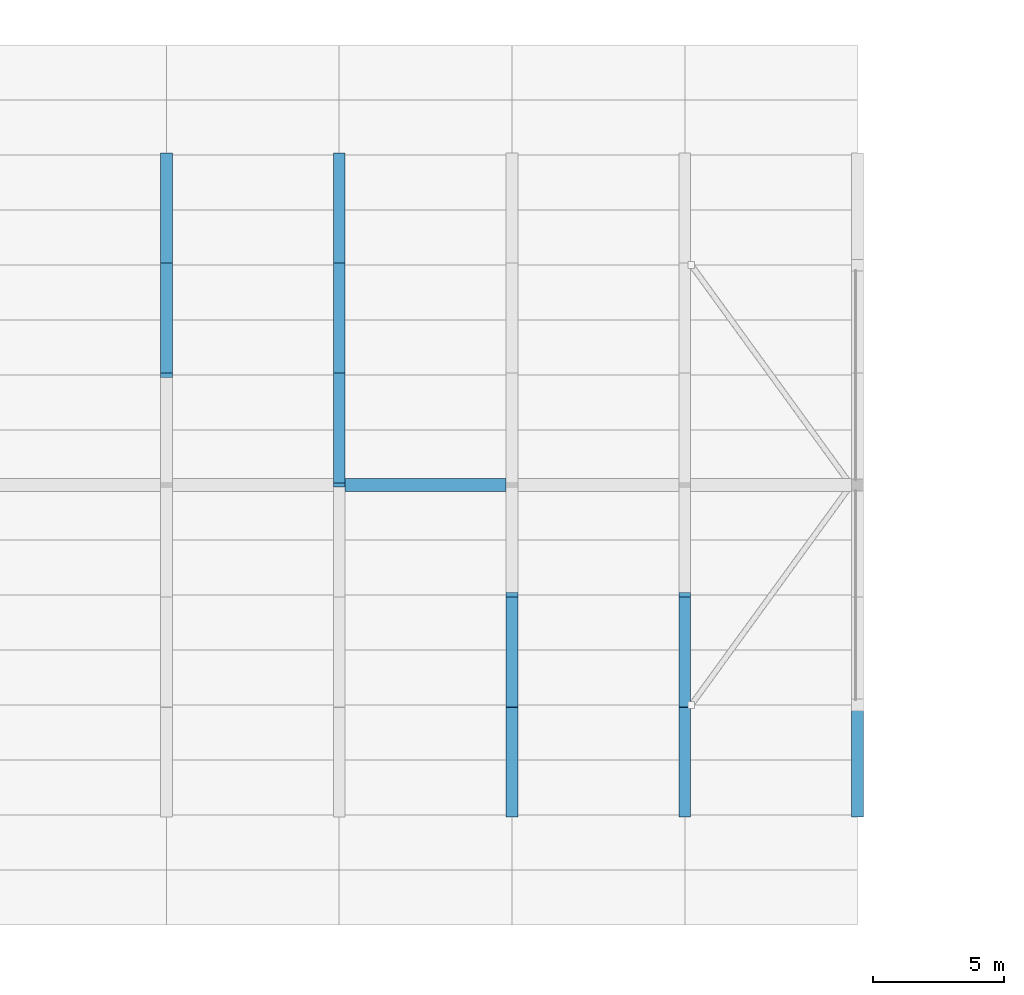
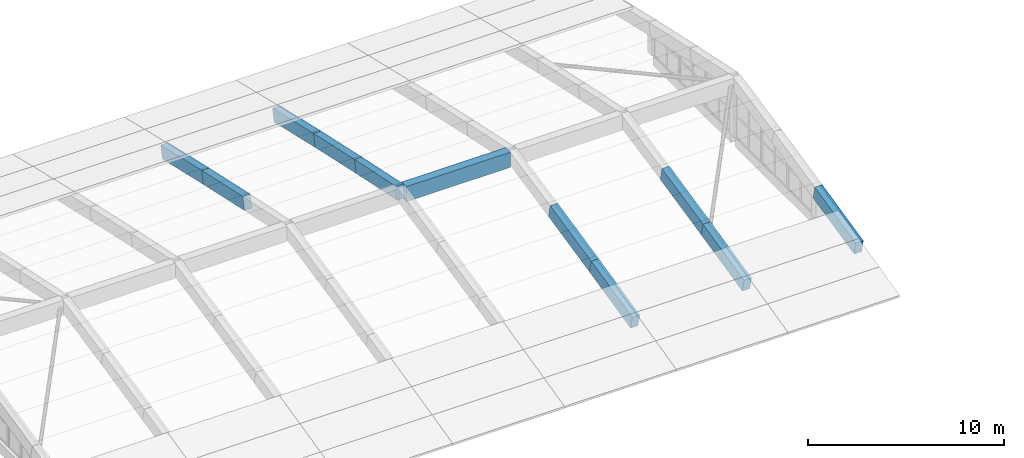
# One storey, part 5 of 47: 11 beams.
"""IFC4 building model written with IfcOpenShell, lengths in metres."""

from ifc_helpers import new_model, si_unit, direction, frame, origin, origin_2d, place, context, subcontext, project, spatial, rectangle, extrude, material, material_profile, profile_set, type_object, element, save


model = new_model("IFC4")

# Units and contexts
model_context = context("Model", 3, precision=1e-05, world=origin(), true_north=direction((0.0, 1.0)))
body_context = subcontext(model_context, "Body", "Model", "MODEL_VIEW")
ifc_project = project(units=[si_unit("LENGTHUNIT", "METRE"), si_unit("AREAUNIT", "SQUARE_METRE"), si_unit("VOLUMEUNIT", "CUBIC_METRE"), si_unit("PLANEANGLEUNIT", "RADIAN"), si_unit("MASSUNIT", "GRAM", prefix="KILO")], contexts=[model_context])

# Site, building, storey
site_placement = place(None, origin())
site = spatial("IfcSite", under=ifc_project, at=site_placement, CompositionType="ELEMENT")
building_placement = place(site_placement, origin())
building = spatial("IfcBuilding", under=site, at=building_placement, Name="Qaldarim Faculty of Natural and Applied Sciences", CompositionType="ELEMENT")
storey_placement = place(building_placement, frame((0.0, 0.0, 22.800048828125)))
storey = spatial("IfcBuildingStorey", under=building, at=storey_placement, Name="L05", CompositionType="ELEMENT", Elevation=22.800048828125)

# Beams
ifc_material = material(Name="Concrete C50/60", Category="concrete")
ifc_material_profile_1 = material_profile(ifc_material, rectangle(XDim=0.449951171875, YDim=0.800048828125, at=origin_2d()), Name="RC-RIB450x800")
ifc_profile_set_1 = profile_set([ifc_material_profile_1], Name="Concrete C50/60")
beam_type_1 = type_object("IfcBeamType", Name="ShellArchRib-RC450x800", PredefinedType="BEAM", material=ifc_profile_set_1)
beam_1_placement = place(storey_placement, frame((19.800048828125, 63.0, 0.579833984375), z_axis=(0.0, -0.974847602774, 0.222872500245), x_axis=(1.0, 0.0, 0.0)))
element("IfcBeam", 1, at=beam_1_placement, inside=storey, type_object=beam_type_1, Name="Shell arch rib 4 N segment 6", PredefinedType="BEAM", context=body_context, shape_type="SweptSolid", body=[
    extrude(rectangle(XDim=0.449951171875, YDim=0.800048828125, at=origin_2d()), origin(), (0.0, 0.0, 1.0), 4.308349609375),
])
beam_2_placement = place(storey_placement, frame((19.800048828125, 58.800048828125, 1.5400390625), z_axis=(0.0, -0.976842563823, 0.213959354792), x_axis=(1.0, 0.0, 0.0)))
element("IfcBeam", 2, at=beam_2_placement, inside=storey, type_object=beam_type_1, Name="Shell arch rib 4 N segment 7", PredefinedType="BEAM", context=body_context, shape_type="SweptSolid", body=[
    extrude(rectangle(XDim=0.449951171875, YDim=0.800048828125, at=origin_2d()), origin(), (0.0, 0.0, 1.0), 4.299560546875),
])
beam_3_placement = place(storey_placement, frame((26.39990234375, 63.0, 0.579833984375), z_axis=(0.0, -0.974847602774, 0.222872500245), x_axis=(1.0, 0.0, 0.0)))
element("IfcBeam", 3, at=beam_3_placement, inside=storey, type_object=beam_type_1, Name="Shell arch rib 5 N segment 6", PredefinedType="BEAM", context=body_context, shape_type="SweptSolid", body=[
    extrude(rectangle(XDim=0.449951171875, YDim=0.800048828125, at=origin_2d()), origin(), (0.0, 0.0, 1.0), 4.308349609375),
])
beam_4_placement = place(storey_placement, frame((26.39990234375, 58.800048828125, 1.5400390625), z_axis=(0.0, -0.976842563823, 0.213959354792), x_axis=(1.0, 0.0, 0.0)))
element("IfcBeam", 4, at=beam_4_placement, inside=storey, type_object=beam_type_1, Name="Shell arch rib 5 N segment 7", PredefinedType="BEAM", context=body_context, shape_type="SweptSolid", body=[
    extrude(rectangle(XDim=0.449951171875, YDim=0.800048828125, at=origin_2d()), origin(), (0.0, 0.0, 1.0), 4.299560546875),
])
beam_5_placement = place(storey_placement, frame((26.39990234375, 54.60009765625, 2.4599609375), z_axis=(0.0, -0.978754529913, 0.205035533934), x_axis=(1.0, 0.0, 0.0)))
element("IfcBeam", 5, at=beam_5_placement, inside=storey, type_object=beam_type_1, Name="Shell arch rib 5 N segment 8", PredefinedType="BEAM", context=body_context, shape_type="SweptSolid", body=[
    extrude(rectangle(XDim=0.449951171875, YDim=0.800048828125, at=origin_2d()), origin(), (0.0, 0.0, 1.0), 4.291259765625),
])
beam_6_placement = place(storey_placement, frame((33.0, 37.800048828125, 0.579833984375), z_axis=(0.0, 0.974847602774, 0.222872500245), x_axis=(-1.0, 0.0, 0.0)))
element("IfcBeam", 6, at=beam_6_placement, inside=storey, type_object=beam_type_1, Name="Shell arch rib 6 S segment 6", PredefinedType="BEAM", context=body_context, shape_type="SweptSolid", body=[
    extrude(rectangle(XDim=0.449951171875, YDim=0.800048828125, at=origin_2d()), origin(), (0.0, 0.0, 1.0), 4.308349609375),
])
beam_7_placement = place(storey_placement, frame((33.0, 42.0, 1.5400390625), z_axis=(0.0, 0.976842563823, 0.213959354792), x_axis=(-1.0, 0.0, 0.0)))
element("IfcBeam", 7, at=beam_7_placement, inside=storey, type_object=beam_type_1, Name="Shell arch rib 6 S segment 7", PredefinedType="BEAM", context=body_context, shape_type="SweptSolid", body=[
    extrude(rectangle(XDim=0.449951171875, YDim=0.800048828125, at=origin_2d()), origin(), (0.0, 0.0, 1.0), 4.299560546875),
])
beam_8_placement = place(storey_placement, frame((39.60009765625, 37.800048828125, 0.579833984375), z_axis=(0.0, 0.974847602774, 0.222872500245), x_axis=(-1.0, 0.0, 0.0)))
element("IfcBeam", 8, at=beam_8_placement, inside=storey, type_object=beam_type_1, Name="Shell arch rib 7 S segment 6", PredefinedType="BEAM", context=body_context, shape_type="SweptSolid", body=[
    extrude(rectangle(XDim=0.449951171875, YDim=0.800048828125, at=origin_2d()), origin(), (0.0, 0.0, 1.0), 4.308349609375),
])
beam_9_placement = place(storey_placement, frame((39.60009765625, 42.0, 1.5400390625), z_axis=(0.0, 0.976842563823, 0.213959354792), x_axis=(-1.0, 0.0, 0.0)))
element("IfcBeam", 9, at=beam_9_placement, inside=storey, type_object=beam_type_1, Name="Shell arch rib 7 S segment 7", PredefinedType="BEAM", context=body_context, shape_type="SweptSolid", body=[
    extrude(rectangle(XDim=0.449951171875, YDim=0.800048828125, at=origin_2d()), origin(), (0.0, 0.0, 1.0), 4.299560546875),
])
beam_10_placement = place(storey_placement, frame((46.199951171875, 37.800048828125, 0.579833984375), z_axis=(0.0, 0.974847602774, 0.222872500245), x_axis=(-1.0, 0.0, 0.0)))
element("IfcBeam", 10, at=beam_10_placement, inside=storey, type_object=beam_type_1, Name="Shell arch rib 8 S segment 6", PredefinedType="BEAM", context=body_context, shape_type="SweptSolid", body=[
    extrude(rectangle(XDim=0.449951171875, YDim=0.800048828125, at=origin_2d()), origin(), (0.0, 0.0, 1.0), 4.308349609375),
])
ifc_material_profile_2 = material_profile(ifc_material, rectangle(XDim=0.5, YDim=0.949951171875, at=origin_2d()), Name="RC-EB500x950")
ifc_profile_set_2 = profile_set([ifc_material_profile_2], Name="Concrete C50/60")
beam_type_2 = type_object("IfcBeamType", Name="ShellRidgeBeam-RC500x950", PredefinedType="BEAM", material=ifc_profile_set_2)
beam_11_placement = place(storey_placement, frame((26.625, 50.39990234375, 3.27001953125), z_axis=(1.0, 0.0, 0.0), x_axis=(0.0, 1.0, 0.0)))
element("IfcBeam", 11, at=beam_11_placement, inside=storey, type_object=beam_type_2, Name="Shell crown ridge beam bay 5", PredefinedType="BEAM", context=body_context, shape_type="SweptSolid", body=[
    extrude(rectangle(XDim=0.5, YDim=0.949951171875, at=origin_2d()), origin(), (0.0, 0.0, 1.0), 6.14990234375),
])

save(model, "model.ifc")
